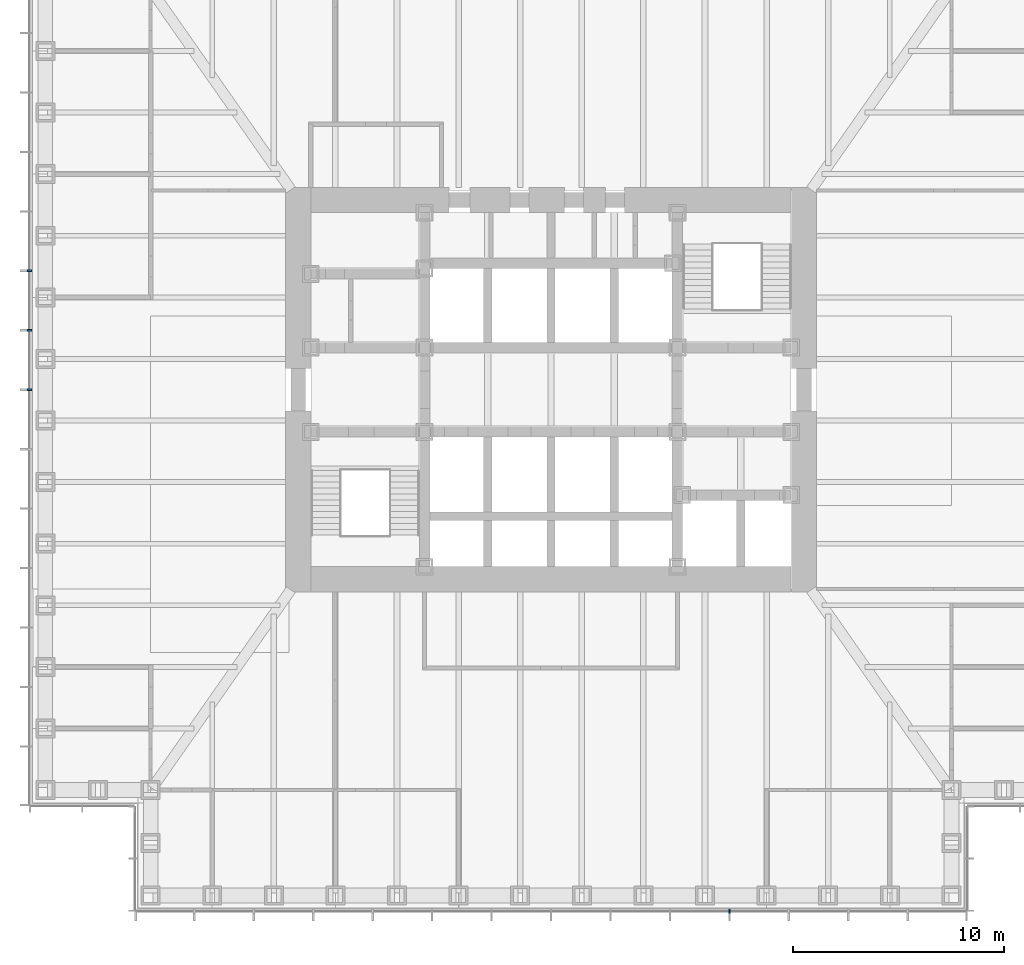
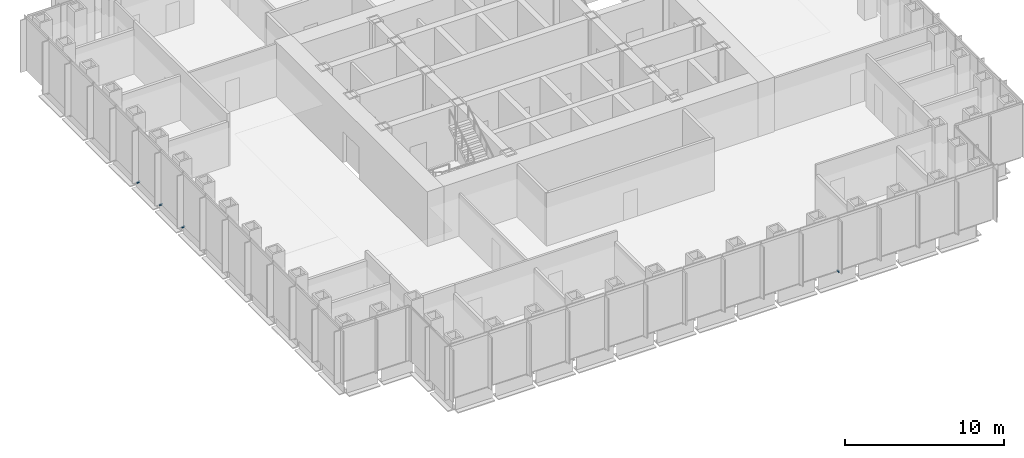
# One storey, part 13 of 17: 4 discrete accessories.
"""IFC4 building model written with IfcOpenShell, lengths in metres."""

from ifc_helpers import new_model, si_unit, direction, frame, origin, origin_2d, place, context, subcontext, project, spatial, rectangle, extrude, element, save


model = new_model("IFC4")

# Units and contexts
model_context = context("Model", 3, precision=1e-05, world=origin(), true_north=direction((0.0, 1.0)))
body_context = subcontext(model_context, "Body", "Model", "MODEL_VIEW")
ifc_project = project(units=[si_unit("LENGTHUNIT", "METRE"), si_unit("AREAUNIT", "SQUARE_METRE"), si_unit("VOLUMEUNIT", "CUBIC_METRE"), si_unit("PLANEANGLEUNIT", "RADIAN"), si_unit("MASSUNIT", "GRAM", prefix="KILO")], contexts=[model_context])

# Site, building, storey
site_placement = place(None, origin())
site = spatial("IfcSite", under=ifc_project, at=site_placement, CompositionType="ELEMENT")
building_placement = place(site_placement, origin())
building = spatial("IfcBuilding", under=site, at=building_placement, Name="Daluyong Arena Tower", CompositionType="ELEMENT")
storey_placement = place(building_placement, frame((0.0, 0.0, 81.10009765625)))
storey = spatial("IfcBuildingStorey", under=building, at=storey_placement, Name="L17", CompositionType="ELEMENT", Elevation=81.10009765625)

# Discrete accessories
for number, where, z_axis, x_axis, name in (
    (1, (64.46435546875, 55.25, -0.10009765625), (0.0, 0.0, 1.0), (1.0, 0.0, 0.0), "curtain wall L17 S anchor bracket 11"),
    (2, (31.25, 85.642822265625, -0.10009765625), (0.0, 0.0, 1.0), (0.0, -1.0, 0.0), "curtain wall L17 W anchor bracket 6"),
    (3, (31.25, 82.821533203125, -0.10009765625), (0.0, 0.0, 1.0), (0.0, -1.0, 0.0), "curtain wall L17 W anchor bracket 7"),
    (4, (31.25, 80.0, -0.10009765625), (0.0, 0.0, 1.0), (0.0, -1.0, 0.0), "curtain wall L17 W anchor bracket 8"),
):
    element("IfcDiscreteAccessory", number, at=place(storey_placement, frame(where, z_axis=z_axis, x_axis=x_axis)), inside=storey, Name=name, PredefinedType="BRACKET", context=body_context, shape_type="SweptSolid", body=[
        extrude(rectangle(XDim=0.080078125, YDim=0.199951171875, at=origin_2d()), origin(), (0.0, 0.0, 1.0), 0.10009765625),
    ])

save(model, "model.ifc")
